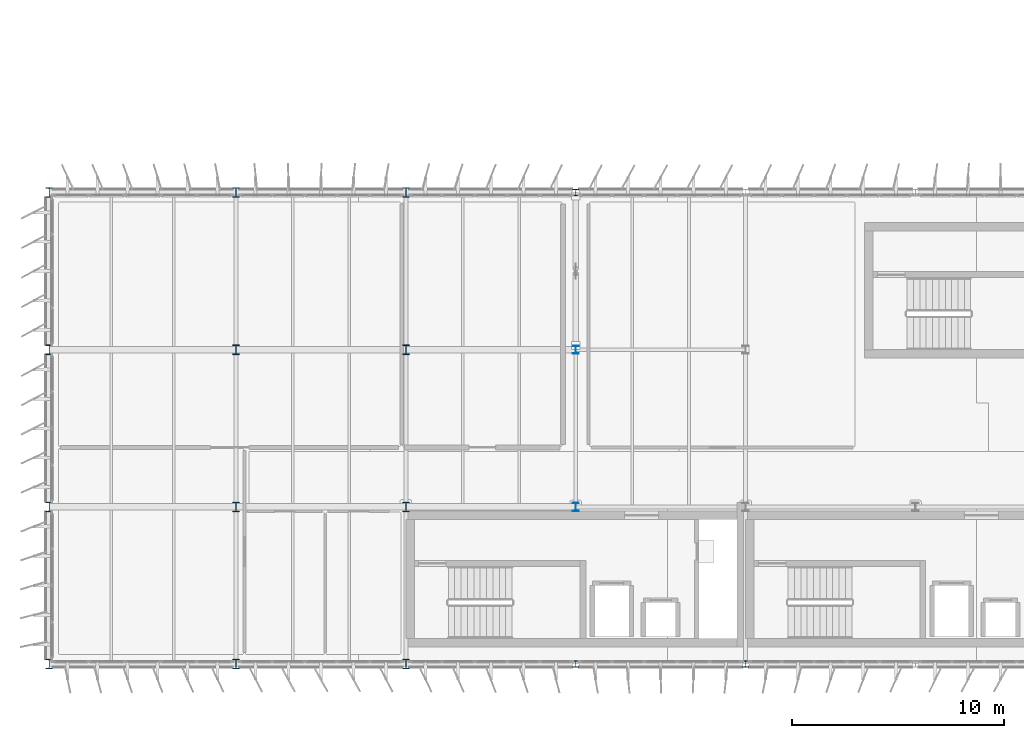
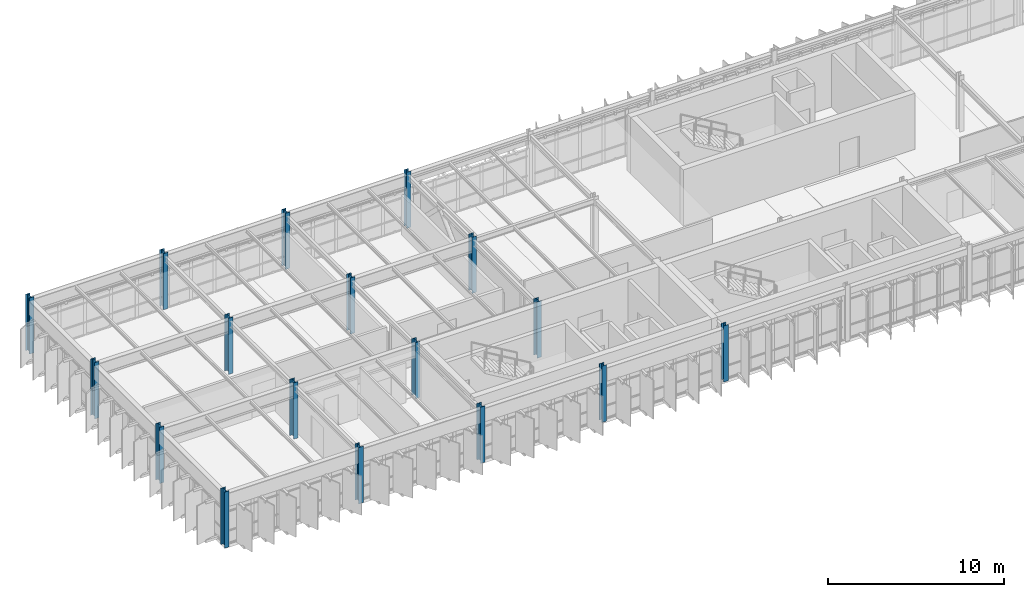
# One storey, part 1 of 35: 17 columns.
"""IFC4 building model written with IfcOpenShell, lengths in metres."""

from ifc_helpers import new_model, si_unit, direction, frame, origin, origin_2d, place, context, subcontext, project, spatial, i_section, extrude, material, material_profile, profile_set, type_object, element, save


model = new_model("IFC4")

# Units and contexts
model_context = context("Model", 3, precision=1e-05, world=origin(), true_north=direction((0.0, 1.0)))
body_context = subcontext(model_context, "Body", "Model", "MODEL_VIEW")
ifc_project = project(units=[si_unit("LENGTHUNIT", "METRE"), si_unit("AREAUNIT", "SQUARE_METRE"), si_unit("VOLUMEUNIT", "CUBIC_METRE"), si_unit("PLANEANGLEUNIT", "RADIAN"), si_unit("MASSUNIT", "GRAM", prefix="KILO")], contexts=[model_context])

# Site, building, storey
site_placement = place(None, origin())
site = spatial("IfcSite", under=ifc_project, at=site_placement, CompositionType="ELEMENT")
building_placement = place(site_placement, origin())
building = spatial("IfcBuilding", under=site, at=building_placement, Name="Valkorina Park Police Headquarters", CompositionType="ELEMENT")
storey_placement = place(building_placement, frame((0.0, 0.0, 27.199951171875)))
storey = spatial("IfcBuildingStorey", under=building, at=storey_placement, Name="L07", CompositionType="ELEMENT", Elevation=27.199951171875)

# Columns
ifc_material = material(Name="Steel S355", Category="steel")
ifc_material_profile_1 = material_profile(ifc_material, i_section(OverallWidth=0.300048828125, OverallDepth=0.389892578125, WebThickness=0.010986328125, FlangeThickness=0.01904296875, FilletRadius=0.027099609375, at=origin_2d()), Name="HEA 400")
ifc_profile_set_1 = profile_set([ifc_material_profile_1], Name="Steel S355")
column_type_1 = type_object("IfcColumnType", Name="COL-S355-HEA400-INT", PredefinedType="COLUMN", material=ifc_profile_set_1)
for number, where, z_axis, x_axis, name in (
    (1, (24.800048828125, 44.39990234375, 0.0), (0.0, 0.0, 1.0), (1.0, 0.0, 0.0), "L07 Column 1105"),
    (2, (24.800048828125, 51.800048828125, 0.0), (0.0, 0.0, 1.0), (1.0, 0.0, 0.0), "L07 Column 1106"),
):
    element("IfcColumn", number, at=place(storey_placement, frame(where, z_axis=z_axis, x_axis=x_axis)), inside=storey, type_object=column_type_1, Name=name, PredefinedType="COLUMN", context=body_context, shape_type="SweptSolid", body=[
        extrude(i_section(OverallWidth=0.300048828125, OverallDepth=0.389892578125, WebThickness=0.010986328125, FlangeThickness=0.01904296875, FilletRadius=0.027099609375, at=origin_2d()), origin(), (0.0, 0.0, 1.0), 3.900146484375),
    ])
ifc_material_profile_2 = material_profile(ifc_material, i_section(OverallWidth=0.300048828125, OverallDepth=0.300048828125, WebThickness=0.010986328125, FlangeThickness=0.01904296875, FilletRadius=0.027099609375, at=origin_2d()), Name="HEB 300")
ifc_profile_set_2 = profile_set([ifc_material_profile_2], Name="Steel S355")
column_type_2 = type_object("IfcColumnType", Name="COL-S355-HEB300-EXT", PredefinedType="COLUMN", material=ifc_profile_set_2)
for number, where, z_axis, x_axis, name in (
    (3, (24.800048828125, 37.0, 0.0), (0.0, 0.0, 1.0), (1.0, 0.0, 0.0), "L07 Column 1104"),
    (4, (24.800048828125, 59.199951171875, 0.0), (0.0, 0.0, 1.0), (1.0, 0.0, 0.0), "L07 Column 1107"),
    (5, (32.800048828125, 37.0, 0.0), (0.0, 0.0, 1.0), (1.0, 0.0, 0.0), "L07 Column 1108"),
):
    element("IfcColumn", number, at=place(storey_placement, frame(where, z_axis=z_axis, x_axis=x_axis)), inside=storey, type_object=column_type_2, Name=name, PredefinedType="COLUMN", context=body_context, shape_type="SweptSolid", body=[
        extrude(i_section(OverallWidth=0.300048828125, OverallDepth=0.300048828125, WebThickness=0.010986328125, FlangeThickness=0.01904296875, FilletRadius=0.027099609375, at=origin_2d()), origin(), (0.0, 0.0, 1.0), 3.900146484375),
    ])
ifc_material_profile_3 = material_profile(ifc_material, i_section(OverallWidth=0.300048828125, OverallDepth=0.449951171875, WebThickness=0.013916015625, FlangeThickness=0.02587890625, FilletRadius=0.027099609375, at=origin_2d()), Name="HEB 450")
ifc_profile_set_3 = profile_set([ifc_material_profile_3], Name="Steel S355")
column_type_3 = type_object("IfcColumnType", Name="COL-S355-HEB450-EXT", PredefinedType="COLUMN", material=ifc_profile_set_3)
for number, where, z_axis, x_axis, name in (
    (6, (0.0, 37.0, 0.0), (0.0, 0.0, 1.0), (1.0, 0.0, 0.0), "L07 Column 1092"),
    (7, (0.0, 44.39990234375, 0.0), (0.0, 0.0, 1.0), (1.0, 0.0, 0.0), "L07 Column 1093"),
    (8, (0.0, 51.800048828125, 0.0), (0.0, 0.0, 1.0), (1.0, 0.0, 0.0), "L07 Column 1094"),
    (9, (0.0, 59.199951171875, 0.0), (0.0, 0.0, 1.0), (1.0, 0.0, 0.0), "L07 Column 1095"),
    (10, (8.800048828125, 37.0, 0.0), (0.0, 0.0, 1.0), (1.0, 0.0, 0.0), "L07 Column 1096"),
    (11, (8.800048828125, 59.199951171875, 0.0), (0.0, 0.0, 1.0), (1.0, 0.0, 0.0), "L07 Column 1099"),
    (12, (16.800048828125, 37.0, 0.0), (0.0, 0.0, 1.0), (1.0, 0.0, 0.0), "L07 Column 1100"),
    (13, (16.800048828125, 59.199951171875, 0.0), (0.0, 0.0, 1.0), (1.0, 0.0, 0.0), "L07 Column 1103"),
):
    element("IfcColumn", number, at=place(storey_placement, frame(where, z_axis=z_axis, x_axis=x_axis)), inside=storey, type_object=column_type_3, Name=name, PredefinedType="COLUMN", context=body_context, shape_type="SweptSolid", body=[
        extrude(i_section(OverallWidth=0.300048828125, OverallDepth=0.449951171875, WebThickness=0.013916015625, FlangeThickness=0.02587890625, FilletRadius=0.027099609375, at=origin_2d()), origin(), (0.0, 0.0, 1.0), 3.900146484375),
    ])
ifc_material_profile_4 = material_profile(ifc_material, i_section(OverallWidth=0.300048828125, OverallDepth=0.449951171875, WebThickness=0.013916015625, FlangeThickness=0.02587890625, FilletRadius=0.027099609375, at=origin_2d()), Name="HEB 450")
ifc_profile_set_4 = profile_set([ifc_material_profile_4], Name="Steel S355")
column_type_4 = type_object("IfcColumnType", Name="COL-S355-HEB450-INT", PredefinedType="COLUMN", material=ifc_profile_set_4)
for number, where, z_axis, x_axis, name in (
    (14, (8.800048828125, 44.39990234375, 0.0), (0.0, 0.0, 1.0), (1.0, 0.0, 0.0), "L07 Column 1097"),
    (15, (8.800048828125, 51.800048828125, 0.0), (0.0, 0.0, 1.0), (1.0, 0.0, 0.0), "L07 Column 1098"),
    (16, (16.800048828125, 44.39990234375, 0.0), (0.0, 0.0, 1.0), (1.0, 0.0, 0.0), "L07 Column 1101"),
    (17, (16.800048828125, 51.800048828125, 0.0), (0.0, 0.0, 1.0), (1.0, 0.0, 0.0), "L07 Column 1102"),
):
    element("IfcColumn", number, at=place(storey_placement, frame(where, z_axis=z_axis, x_axis=x_axis)), inside=storey, type_object=column_type_4, Name=name, PredefinedType="COLUMN", context=body_context, shape_type="SweptSolid", body=[
        extrude(i_section(OverallWidth=0.300048828125, OverallDepth=0.449951171875, WebThickness=0.013916015625, FlangeThickness=0.02587890625, FilletRadius=0.027099609375, at=origin_2d()), origin(), (0.0, 0.0, 1.0), 3.900146484375),
    ])

save(model, "model.ifc")
